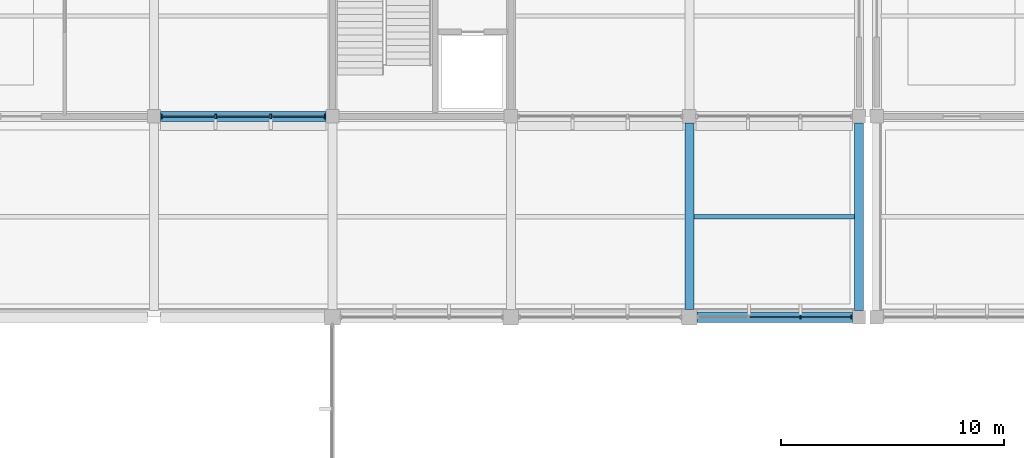
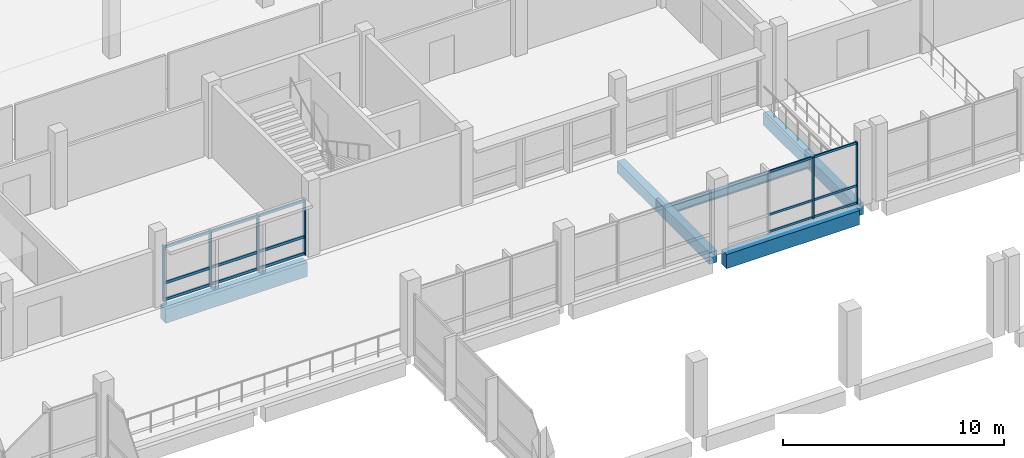
# One storey, part 26 of 70: 21 members, 5 beams, 2 elements without a shape of their own.
"""IFC4 building model written with IfcOpenShell, lengths in metres."""

from ifc_helpers import new_model, si_unit, direction, frame, origin, origin_2d, place, context, subcontext, project, spatial, rectangle, i_section, extrude, material, material_profile, profile_set, type_object, element, aggregate, save


model = new_model("IFC4")

# Units and contexts
model_context = context("Model", 3, precision=1e-05, world=origin(), true_north=direction((0.0, 1.0)))
body_context = subcontext(model_context, "Body", "Model", "MODEL_VIEW")
ifc_project = project(units=[si_unit("LENGTHUNIT", "METRE"), si_unit("AREAUNIT", "SQUARE_METRE"), si_unit("VOLUMEUNIT", "CUBIC_METRE"), si_unit("PLANEANGLEUNIT", "RADIAN"), si_unit("MASSUNIT", "GRAM", prefix="KILO"), si_unit("THERMODYNAMICTEMPERATUREUNIT", "KELVIN"), si_unit("POWERUNIT", "WATT")], contexts=[model_context])

# Site, building, storey
site_placement = place(None, origin())
site = spatial("IfcSite", under=ifc_project, at=site_placement, CompositionType="ELEMENT")
building_placement = place(site_placement, origin())
building = spatial("IfcBuilding", under=site, at=building_placement, Name="Kronsvod Quay Wholesale Market", CompositionType="ELEMENT")
storey_placement = place(building_placement, frame((0.0, 0.0, 9.0)))
storey = spatial("IfcBuildingStorey", under=building, at=storey_placement, Name="L02", CompositionType="ELEMENT", Elevation=9.0)

# Beams
ifc_material_1 = material(Name="Precast concrete C40/50", Category="concrete")
ifc_material_profile_1 = material_profile(ifc_material_1, rectangle(XDim=0.39990234375, YDim=0.64990234375, at=origin_2d()), Name="PCB400x650")
ifc_profile_set_1 = profile_set([ifc_material_profile_1], Name="Precast concrete C40/50")
beam_type_1 = type_object("IfcBeamType", Name="Beam_PCB400x650", PredefinedType="BEAM", material=ifc_profile_set_1)
beam_1_placement = place(storey_placement, frame((120.0, 90.35009765625, -0.635009765625), z_axis=(0.0, 1.0, 0.0), x_axis=(-1.0, 0.0, 0.0)))
element("IfcBeam", 1, at=beam_1_placement, inside=storey, type_object=beam_type_1, Name="BMY-L02-1200-900", PredefinedType="BEAM", context=body_context, shape_type="SweptSolid", body=[
    extrude(rectangle(XDim=0.39990234375, YDim=0.64990234375, at=origin_2d()), origin(), (0.0, 0.0, 1.0), 8.349853515625),
])
beam_2_placement = place(storey_placement, frame((127.60009765625, 90.300048828125, -0.635009765625), z_axis=(0.0, 1.0, 0.0), x_axis=(-1.0, 0.0, 0.0)))
element("IfcBeam", 2, at=beam_2_placement, inside=storey, type_object=beam_type_1, Name="BMY-L02-1276-900", PredefinedType="BEAM", context=body_context, shape_type="SweptSolid", body=[
    extrude(rectangle(XDim=0.39990234375, YDim=0.64990234375, at=origin_2d()), origin(), (0.0, 0.0, 1.0), 8.39990234375),
])
ifc_material_2 = material(Name="Precast concrete C40/50", Category="concrete")
ifc_material_profile_2 = material_profile(ifc_material_2, rectangle(XDim=0.4599609375, YDim=0.780029296875, at=origin_2d()), Name="PB-03")
ifc_profile_set_2 = profile_set([ifc_material_profile_2], Name="Precast concrete C40/50")
beam_type_2 = type_object("IfcBeamType", Name="Beam_PCB460x780", PredefinedType="BEAM", material=ifc_profile_set_2)
beam_3_placement = place(storey_placement, frame((120.35009765625, 90.0, -0.64990234375), z_axis=(1.0, 0.0, 0.0), x_axis=(0.0, 1.0, 0.0)))
element("IfcBeam", 3, at=beam_3_placement, inside=storey, type_object=beam_type_2, Name="BMX-L02-1200-900", PredefinedType="BEAM", context=body_context, shape_type="SweptSolid", body=[
    extrude(rectangle(XDim=0.4599609375, YDim=0.780029296875, at=origin_2d()), origin(), (0.0, 0.0, 1.0), 6.949951171875),
])
beam_4_placement = place(storey_placement, frame((96.300048828125, 99.0, -0.699951171875), z_axis=(1.0, 0.0, 0.0), x_axis=(0.0, 1.0, 0.0)))
element("IfcBeam", 4, at=beam_4_placement, inside=storey, type_object=beam_type_2, Name="BMX-L02-960-990", PredefinedType="BEAM", context=body_context, shape_type="SweptSolid", body=[
    extrude(rectangle(XDim=0.4599609375, YDim=0.780029296875, at=origin_2d()), origin(), (0.0, 0.0, 1.0), 7.39990234375),
])
ifc_material_3 = material(Name="Steel S355", Category="steel")
ifc_material_profile_3 = material_profile(ifc_material_3, i_section(OverallWidth=0.198974609375, OverallDepth=0.446044921875, WebThickness=0.008056640625, FlangeThickness=0.011962890625, FilletRadius=0.01806640625, at=origin_2d()), Name="45B1")
ifc_profile_set_3 = profile_set([ifc_material_profile_3], Name="Steel S355")
beam_type_3 = type_object("IfcBeamType", Name="Beam_Steel45B1", PredefinedType="BEAM", material=ifc_profile_set_3)
beam_5_placement = place(storey_placement, frame((120.195068359375, 94.5, -0.532958984375), z_axis=(1.0, 0.0, 0.0), x_axis=(0.0, 1.0, 0.0)))
element("IfcBeam", 5, at=beam_5_placement, inside=storey, type_object=beam_type_3, Name="JSTX-L02-1200-900", PredefinedType="BEAM", context=body_context, shape_type="SweptSolid", body=[
    extrude(i_section(OverallWidth=0.198974609375, OverallDepth=0.446044921875, WebThickness=0.008056640625, FlangeThickness=0.011962890625, FilletRadius=0.01806640625, at=origin_2d()), origin(), (0.0, 0.0, 1.0), 7.2099609375),
])

# Curtain wall, members
ifc_material_4 = material(Name="Thermally broken aluminium and triple low-E glazing", Category="aluminium")
curtain_wall_type_1 = type_object("IfcCurtainWallType", Name="CW_Clerestory80x32", PredefinedType="NOTDEFINED", material=ifc_material_4)
curtain_wall_1_placement = place(storey_placement, origin())
curtain_wall_1 = element("IfcCurtainWall", 6, at=curtain_wall_1_placement, inside=storey, type_object=curtain_wall_type_1, Name="CWGX-L02-1200-900", PredefinedType="NOTDEFINED")
ifc_material_5 = material(Name="Anodised aluminium", Category="aluminium")
ifc_material_profile_4 = material_profile(ifc_material_5, rectangle(XDim=0.06494140625, YDim=0.159912109375, at=origin_2d()), Name="ALUM65x160")
ifc_profile_set_4 = profile_set([ifc_material_profile_4], Name="Anodised aluminium")
member_type_1 = type_object("IfcMemberType", Name="Mullion_ALU65x160", PredefinedType="MULLION", material=ifc_profile_set_4)
member_1_placement = place(storey_placement, frame((127.2724609375, 90.0, 0.0), z_axis=(0.0, 0.0, 1.0), x_axis=(1.0, 0.0, 0.0)))
member_1 = element("IfcMember", 7, at=member_1_placement, type_object=member_type_1, Name="CWGX-L02-1200-900-M1", PredefinedType="MULLION", context=body_context, shape_type="SweptSolid", body=[
    extrude(rectangle(XDim=0.06494140625, YDim=0.159912109375, at=origin_2d()), origin(), (0.0, 0.0, 1.0), 3.419921875),
])
member_2_placement = place(storey_placement, frame((124.985107421875, 90.0, 0.0), z_axis=(0.0, 0.0, 1.0), x_axis=(1.0, 0.0, 0.0)))
member_2 = element("IfcMember", 8, at=member_2_placement, type_object=member_type_1, Name="CWGX-L02-1200-900-M2", PredefinedType="MULLION", context=body_context, shape_type="SweptSolid", body=[
    extrude(rectangle(XDim=0.06494140625, YDim=0.159912109375, at=origin_2d()), origin(), (0.0, 0.0, 1.0), 3.419921875),
])

ifc_material_6 = material(Name="Thermally broken aluminium and triple low-E glazing", Category="aluminium")
curtain_wall_type_2 = type_object("IfcCurtainWallType", Name="CW_Harbour80x33", PredefinedType="NOTDEFINED", material=ifc_material_6)
curtain_wall_2_placement = place(storey_placement, origin())
curtain_wall_2 = element("IfcCurtainWall", 9, at=curtain_wall_2_placement, inside=storey, type_object=curtain_wall_type_2, Name="CWGX-L02-960-990", PredefinedType="NOTDEFINED")
ifc_material_7 = material(Name="Anodised aluminium", Category="aluminium")
ifc_material_profile_5 = material_profile(ifc_material_7, rectangle(XDim=0.074951171875, YDim=0.199951171875, at=origin_2d()), Name="ALUM75x200")
ifc_profile_set_5 = profile_set([ifc_material_profile_5], Name="Anodised aluminium")
member_type_2 = type_object("IfcMemberType", Name="Mullion_ALU75x200", PredefinedType="MULLION", material=ifc_profile_set_5)
member_3_placement = place(storey_placement, frame((96.33251953125, 99.0, 0.0), z_axis=(0.0, 0.0, 1.0), x_axis=(1.0, 0.0, 0.0)))
member_3 = element("IfcMember", 10, at=member_3_placement, type_object=member_type_2, Name="CWGX-L02-960-990-M1", PredefinedType="MULLION", context=body_context, shape_type="SweptSolid", body=[
    extrude(rectangle(XDim=0.074951171875, YDim=0.199951171875, at=origin_2d()), origin(), (0.0, 0.0, 1.0), 3.050048828125),
])
member_4_placement = place(storey_placement, frame((98.764892578125, 99.0, 0.0), z_axis=(0.0, 0.0, 1.0), x_axis=(1.0, 0.0, 0.0)))
member_4 = element("IfcMember", 11, at=member_4_placement, type_object=member_type_2, Name="CWGX-L02-960-990-M2", PredefinedType="MULLION", context=body_context, shape_type="SweptSolid", body=[
    extrude(rectangle(XDim=0.074951171875, YDim=0.199951171875, at=origin_2d()), origin(), (0.0, 0.0, 1.0), 3.050048828125),
])
member_5_placement = place(storey_placement, frame((101.235107421875, 99.0, 0.0), z_axis=(0.0, 0.0, 1.0), x_axis=(1.0, 0.0, 0.0)))
member_5 = element("IfcMember", 12, at=member_5_placement, type_object=member_type_2, Name="CWGX-L02-960-990-M3", PredefinedType="MULLION", context=body_context, shape_type="SweptSolid", body=[
    extrude(rectangle(XDim=0.074951171875, YDim=0.199951171875, at=origin_2d()), origin(), (0.0, 0.0, 1.0), 3.050048828125),
])
member_6_placement = place(storey_placement, frame((103.66748046875, 99.0, 0.0), z_axis=(0.0, 0.0, 1.0), x_axis=(1.0, 0.0, 0.0)))
member_6 = element("IfcMember", 13, at=member_6_placement, type_object=member_type_2, Name="CWGX-L02-960-990-M4", PredefinedType="MULLION", context=body_context, shape_type="SweptSolid", body=[
    extrude(rectangle(XDim=0.074951171875, YDim=0.199951171875, at=origin_2d()), origin(), (0.0, 0.0, 1.0), 3.050048828125),
])

# Member
ifc_material_8 = material(Name="Anodised aluminium", Category="aluminium")
ifc_material_profile_6 = material_profile(ifc_material_8, rectangle(XDim=0.06494140625, YDim=0.1201171875, at=origin_2d()), Name="ALUT65x120")
ifc_profile_set_6 = profile_set([ifc_material_profile_6], Name="Anodised aluminium")
member_type_3 = type_object("IfcMemberType", Name="Transom_ALU65x120", PredefinedType="USERDEFINED", material=ifc_profile_set_6)
member_7_placement = place(storey_placement, frame((127.239990234375, 90.0, 0.06005859375), z_axis=(-1.0, 0.0, 0.0), x_axis=(0.0, -1.0, 0.0)))
member_7 = element("IfcMember", 14, at=member_7_placement, type_object=member_type_3, Name="CWGX-L02-1200-900-T1B1", ObjectType="TRANSOM", PredefinedType="USERDEFINED", context=body_context, shape_type="SweptSolid", body=[
    extrude(rectangle(XDim=0.06494140625, YDim=0.1201171875, at=origin_2d()), origin(), (0.0, 0.0, 1.0), 2.222412109375),
])

member_8_placement = place(storey_placement, frame((124.952392578125, 90.0, 0.06005859375), z_axis=(-1.0, 0.0, 0.0), x_axis=(0.0, -1.0, 0.0)))
member_8 = element("IfcMember", 15, at=member_8_placement, type_object=member_type_3, Name="CWGX-L02-1200-900-T1B2", ObjectType="TRANSOM", PredefinedType="USERDEFINED", context=body_context, shape_type="SweptSolid", body=[
    extrude(rectangle(XDim=0.06494140625, YDim=0.1201171875, at=origin_2d()), origin(), (0.0, 0.0, 1.0), 2.2548828125),
])

member_9_placement = place(storey_placement, frame((127.239990234375, 90.0, 1.0), z_axis=(-1.0, 0.0, 0.0), x_axis=(0.0, -1.0, 0.0)))
member_9 = element("IfcMember", 16, at=member_9_placement, type_object=member_type_3, Name="CWGX-L02-1200-900-T2B1", ObjectType="TRANSOM", PredefinedType="USERDEFINED", context=body_context, shape_type="SweptSolid", body=[
    extrude(rectangle(XDim=0.06494140625, YDim=0.1201171875, at=origin_2d()), origin(), (0.0, 0.0, 1.0), 2.222412109375),
])

member_10_placement = place(storey_placement, frame((124.952392578125, 90.0, 1.0), z_axis=(-1.0, 0.0, 0.0), x_axis=(0.0, -1.0, 0.0)))
member_10 = element("IfcMember", 17, at=member_10_placement, type_object=member_type_3, Name="CWGX-L02-1200-900-T2B2", ObjectType="TRANSOM", PredefinedType="USERDEFINED", context=body_context, shape_type="SweptSolid", body=[
    extrude(rectangle(XDim=0.06494140625, YDim=0.1201171875, at=origin_2d()), origin(), (0.0, 0.0, 1.0), 2.2548828125),
])

member_11_placement = place(storey_placement, frame((127.239990234375, 90.0, 3.360107421875), z_axis=(-1.0, 0.0, 0.0), x_axis=(0.0, -1.0, 0.0)))
member_11 = element("IfcMember", 18, at=member_11_placement, type_object=member_type_3, Name="CWGX-L02-1200-900-T3B1", ObjectType="TRANSOM", PredefinedType="USERDEFINED", context=body_context, shape_type="SweptSolid", body=[
    extrude(rectangle(XDim=0.06494140625, YDim=0.1201171875, at=origin_2d()), origin(), (0.0, 0.0, 1.0), 2.222412109375),
])

member_12_placement = place(storey_placement, frame((124.952392578125, 90.0, 3.360107421875), z_axis=(-1.0, 0.0, 0.0), x_axis=(0.0, -1.0, 0.0)))
member_12 = element("IfcMember", 19, at=member_12_placement, type_object=member_type_3, Name="CWGX-L02-1200-900-T3B2", ObjectType="TRANSOM", PredefinedType="USERDEFINED", context=body_context, shape_type="SweptSolid", body=[
    extrude(rectangle(XDim=0.06494140625, YDim=0.1201171875, at=origin_2d()), origin(), (0.0, 0.0, 1.0), 2.2548828125),
])

aggregate(curtain_wall_1, [member_1, member_2, member_7, member_8, member_9, member_10, member_11, member_12])

ifc_material_9 = material(Name="Anodised aluminium", Category="aluminium")
ifc_material_profile_7 = material_profile(ifc_material_9, rectangle(XDim=0.074951171875, YDim=0.14990234375, at=origin_2d()), Name="ALUT75x150")
ifc_profile_set_7 = profile_set([ifc_material_profile_7], Name="Anodised aluminium")
member_type_4 = type_object("IfcMemberType", Name="Transom_ALU75x150", PredefinedType="USERDEFINED", material=ifc_profile_set_7)
member_13_placement = place(storey_placement, frame((96.3701171875, 99.0, 0.074951171875), z_axis=(1.0, 0.0, 0.0), x_axis=(0.0, 1.0, 0.0)))
member_13 = element("IfcMember", 20, at=member_13_placement, type_object=member_type_4, Name="CWGX-L02-960-990-T1B1", ObjectType="TRANSOM", PredefinedType="USERDEFINED", context=body_context, shape_type="SweptSolid", body=[
    extrude(rectangle(XDim=0.074951171875, YDim=0.14990234375, at=origin_2d()), origin(), (0.0, 0.0, 1.0), 2.357421875),
])

member_14_placement = place(storey_placement, frame((98.802490234375, 99.0, 0.074951171875), z_axis=(1.0, 0.0, 0.0), x_axis=(0.0, 1.0, 0.0)))
member_14 = element("IfcMember", 21, at=member_14_placement, type_object=member_type_4, Name="CWGX-L02-960-990-T1B2", ObjectType="TRANSOM", PredefinedType="USERDEFINED", context=body_context, shape_type="SweptSolid", body=[
    extrude(rectangle(XDim=0.074951171875, YDim=0.14990234375, at=origin_2d()), origin(), (0.0, 0.0, 1.0), 2.39501953125),
])

member_15_placement = place(storey_placement, frame((101.2724609375, 99.0, 0.074951171875), z_axis=(1.0, 0.0, 0.0), x_axis=(0.0, 1.0, 0.0)))
member_15 = element("IfcMember", 22, at=member_15_placement, type_object=member_type_4, Name="CWGX-L02-960-990-T1B3", ObjectType="TRANSOM", PredefinedType="USERDEFINED", context=body_context, shape_type="SweptSolid", body=[
    extrude(rectangle(XDim=0.074951171875, YDim=0.14990234375, at=origin_2d()), origin(), (0.0, 0.0, 1.0), 2.357421875),
])

member_16_placement = place(storey_placement, frame((96.3701171875, 99.0, 1.0), z_axis=(1.0, 0.0, 0.0), x_axis=(0.0, 1.0, 0.0)))
member_16 = element("IfcMember", 23, at=member_16_placement, type_object=member_type_4, Name="CWGX-L02-960-990-T2B1", ObjectType="TRANSOM", PredefinedType="USERDEFINED", context=body_context, shape_type="SweptSolid", body=[
    extrude(rectangle(XDim=0.074951171875, YDim=0.14990234375, at=origin_2d()), origin(), (0.0, 0.0, 1.0), 2.357421875),
])

member_17_placement = place(storey_placement, frame((98.802490234375, 99.0, 1.0), z_axis=(1.0, 0.0, 0.0), x_axis=(0.0, 1.0, 0.0)))
member_17 = element("IfcMember", 24, at=member_17_placement, type_object=member_type_4, Name="CWGX-L02-960-990-T2B2", ObjectType="TRANSOM", PredefinedType="USERDEFINED", context=body_context, shape_type="SweptSolid", body=[
    extrude(rectangle(XDim=0.074951171875, YDim=0.14990234375, at=origin_2d()), origin(), (0.0, 0.0, 1.0), 2.39501953125),
])

member_18_placement = place(storey_placement, frame((101.2724609375, 99.0, 1.0), z_axis=(1.0, 0.0, 0.0), x_axis=(0.0, 1.0, 0.0)))
member_18 = element("IfcMember", 25, at=member_18_placement, type_object=member_type_4, Name="CWGX-L02-960-990-T2B3", ObjectType="TRANSOM", PredefinedType="USERDEFINED", context=body_context, shape_type="SweptSolid", body=[
    extrude(rectangle(XDim=0.074951171875, YDim=0.14990234375, at=origin_2d()), origin(), (0.0, 0.0, 1.0), 2.357421875),
])

member_19_placement = place(storey_placement, frame((96.3701171875, 99.0, 2.97509765625), z_axis=(1.0, 0.0, 0.0), x_axis=(0.0, 1.0, 0.0)))
member_19 = element("IfcMember", 26, at=member_19_placement, type_object=member_type_4, Name="CWGX-L02-960-990-T3B1", ObjectType="TRANSOM", PredefinedType="USERDEFINED", context=body_context, shape_type="SweptSolid", body=[
    extrude(rectangle(XDim=0.074951171875, YDim=0.14990234375, at=origin_2d()), origin(), (0.0, 0.0, 1.0), 2.357421875),
])

member_20_placement = place(storey_placement, frame((98.802490234375, 99.0, 2.97509765625), z_axis=(1.0, 0.0, 0.0), x_axis=(0.0, 1.0, 0.0)))
member_20 = element("IfcMember", 27, at=member_20_placement, type_object=member_type_4, Name="CWGX-L02-960-990-T3B2", ObjectType="TRANSOM", PredefinedType="USERDEFINED", context=body_context, shape_type="SweptSolid", body=[
    extrude(rectangle(XDim=0.074951171875, YDim=0.14990234375, at=origin_2d()), origin(), (0.0, 0.0, 1.0), 2.39501953125),
])

member_21_placement = place(storey_placement, frame((101.2724609375, 99.0, 2.97509765625), z_axis=(1.0, 0.0, 0.0), x_axis=(0.0, 1.0, 0.0)))
member_21 = element("IfcMember", 28, at=member_21_placement, type_object=member_type_4, Name="CWGX-L02-960-990-T3B3", ObjectType="TRANSOM", PredefinedType="USERDEFINED", context=body_context, shape_type="SweptSolid", body=[
    extrude(rectangle(XDim=0.074951171875, YDim=0.14990234375, at=origin_2d()), origin(), (0.0, 0.0, 1.0), 2.357421875),
])

aggregate(curtain_wall_2, [member_3, member_4, member_5, member_6, member_13, member_14, member_15, member_16, member_17, member_18, member_19, member_20, member_21])

save(model, "model.ifc")
